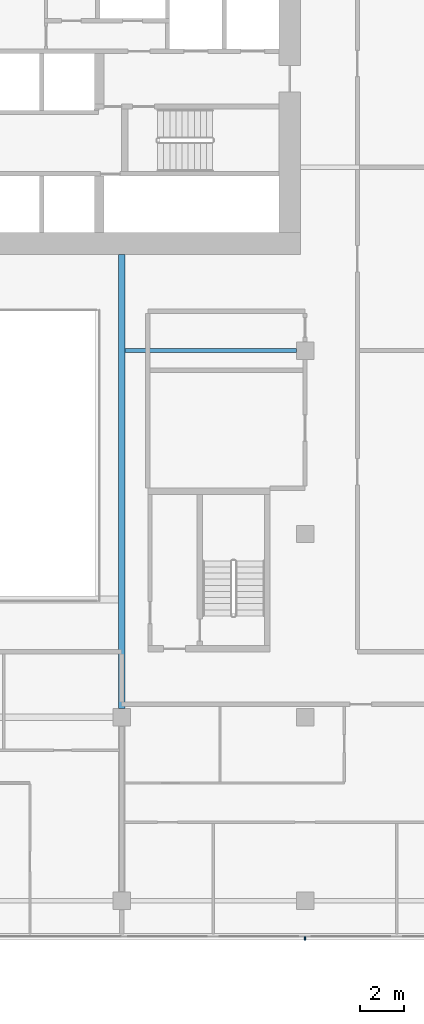
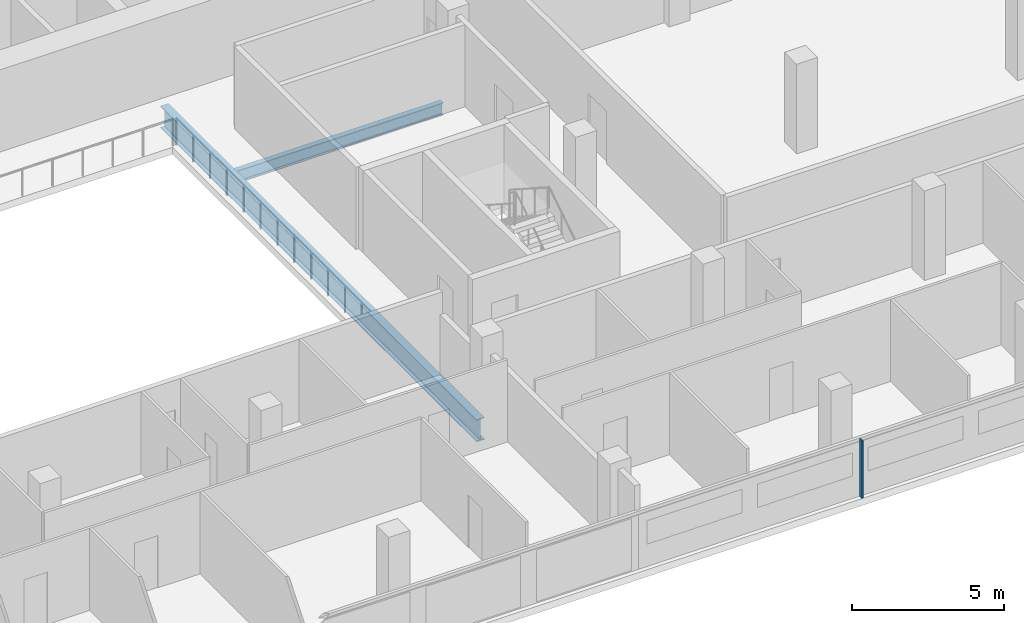
# One storey, part 8 of 26: 2 beams, 1 member, 1 element without a shape of its own.
"""IFC4 building model written with IfcOpenShell, lengths in metres."""

from ifc_helpers import new_model, si_unit, direction, frame, origin, origin_2d, place, context, subcontext, project, spatial, rectangle, i_section, extrude, material, material_profile, profile_set, type_object, element, aggregate, save


model = new_model("IFC4")

# Units and contexts
model_context = context("Model", 3, precision=1e-05, world=origin(), true_north=direction((0.0, 1.0)))
body_context = subcontext(model_context, "Body", "Model", "MODEL_VIEW")
ifc_project = project(units=[si_unit("LENGTHUNIT", "METRE"), si_unit("AREAUNIT", "SQUARE_METRE"), si_unit("VOLUMEUNIT", "CUBIC_METRE"), si_unit("PLANEANGLEUNIT", "RADIAN"), si_unit("MASSUNIT", "GRAM", prefix="KILO")], contexts=[model_context])

# Site, building, storey
site_placement = place(None, origin())
site = spatial("IfcSite", under=ifc_project, at=site_placement, CompositionType="ELEMENT")
building_placement = place(site_placement, origin())
building = spatial("IfcBuilding", under=site, at=building_placement, Name="Saffron Gate Tower", CompositionType="ELEMENT")
storey_placement = place(building_placement, frame((0.0, 0.0, 138.449951171875)))
storey = spatial("IfcBuildingStorey", under=building, at=storey_placement, Name="L33", CompositionType="ELEMENT", Elevation=138.449951171875)

# Beams
ifc_material_1 = material(Name="Structural steel S355", Category="steel")
ifc_material_profile_1 = material_profile(ifc_material_1, i_section(OverallWidth=0.199951171875, OverallDepth=0.5, WebThickness=0.01025390625, FlangeThickness=0.01611328125, FilletRadius=0.02099609375, at=origin_2d()))
ifc_profile_set_1 = profile_set([ifc_material_profile_1], Name="Structural steel S355")
beam_type_1 = type_object("IfcBeamType", Name="B10 IPE 500", PredefinedType="BEAM", material=ifc_profile_set_1)
beam_1_placement = place(storey_placement, frame((108.199951171875, 57.0, -0.530029296875), z_axis=(-1.0, 0.0, 0.0), x_axis=(0.0, -1.0, 0.0)))
element("IfcBeam", 1, at=beam_1_placement, inside=storey, type_object=beam_type_1, Name="B10 CORE TIE BEAM", PredefinedType="BEAM", context=body_context, shape_type="SweptSolid", body=[
    extrude(i_section(OverallWidth=0.199951171875, OverallDepth=0.5, WebThickness=0.01025390625, FlangeThickness=0.01611328125, FilletRadius=0.02099609375, at=origin_2d()), origin(), (0.0, 0.0, 1.0), 7.849853515625),
])
ifc_material_profile_2 = material_profile(ifc_material_1, i_section(OverallWidth=0.300048828125, OverallDepth=0.889892578125, WebThickness=0.01611328125, FlangeThickness=0.030029296875, FilletRadius=0.030029296875, at=origin_2d()))
ifc_profile_set_2 = profile_set([ifc_material_profile_2], Name="Structural steel S355")
beam_type_2 = type_object("IfcBeamType", Name="B19 HEA 900", PredefinedType="BEAM", material=ifc_profile_set_2)
beam_2_placement = place(storey_placement, frame((100.199951171875, 40.60009765625, -0.724853515625), z_axis=(0.0, 1.0, 0.0), x_axis=(-1.0, 0.0, 0.0)))
element("IfcBeam", 2, at=beam_2_placement, inside=storey, type_object=beam_type_2, Name="B19 ATRIUM GIRDER", PredefinedType="BEAM", context=body_context, shape_type="SweptSolid", body=[
    extrude(i_section(OverallWidth=0.300048828125, OverallDepth=0.889892578125, WebThickness=0.01611328125, FlangeThickness=0.030029296875, FilletRadius=0.030029296875, at=origin_2d()), origin(), (0.0, 0.0, 1.0), 20.7998046875),
])

# Curtain wall, member
ifc_material_2 = material(Name="Aluminium, bronze anodised", Category="aluminium")
curtain_wall_type = type_object("IfcCurtainWallType", Name="CWS1 curtain wall front facade", PredefinedType="NOTDEFINED", material=ifc_material_2)
curtain_wall_placement = place(storey_placement, origin())
curtain_wall = element("IfcCurtainWall", 3, at=curtain_wall_placement, inside=storey, type_object=curtain_wall_type, Name="CWS1 run 1", PredefinedType="NOTDEFINED")
ifc_material_profile_3 = material_profile(ifc_material_2, rectangle(XDim=0.159912109375, YDim=0.06005859375, at=origin_2d()))
ifc_profile_set_3 = profile_set([ifc_material_profile_3], Name="Aluminium, bronze anodised")
member_type = type_object("IfcMemberType", Name="CWS1 mullion 60x160", PredefinedType="MULLION", material=ifc_profile_set_3)
member_placement = place(storey_placement, frame((108.60009765625, 30.080078125, 0.0), z_axis=(0.0, 0.0, 1.0), x_axis=(0.0, 1.0, 0.0)))
member = element("IfcMember", 4, at=member_placement, type_object=member_type, Name="CWS1 mullion 8", PredefinedType="MULLION", context=body_context, shape_type="SweptSolid", body=[
    extrude(rectangle(XDim=0.159912109375, YDim=0.06005859375, at=origin_2d()), origin(), (0.0, 0.0, 1.0), 2.31005859375),
])
aggregate(curtain_wall, [member])

save(model, "model.ifc")
